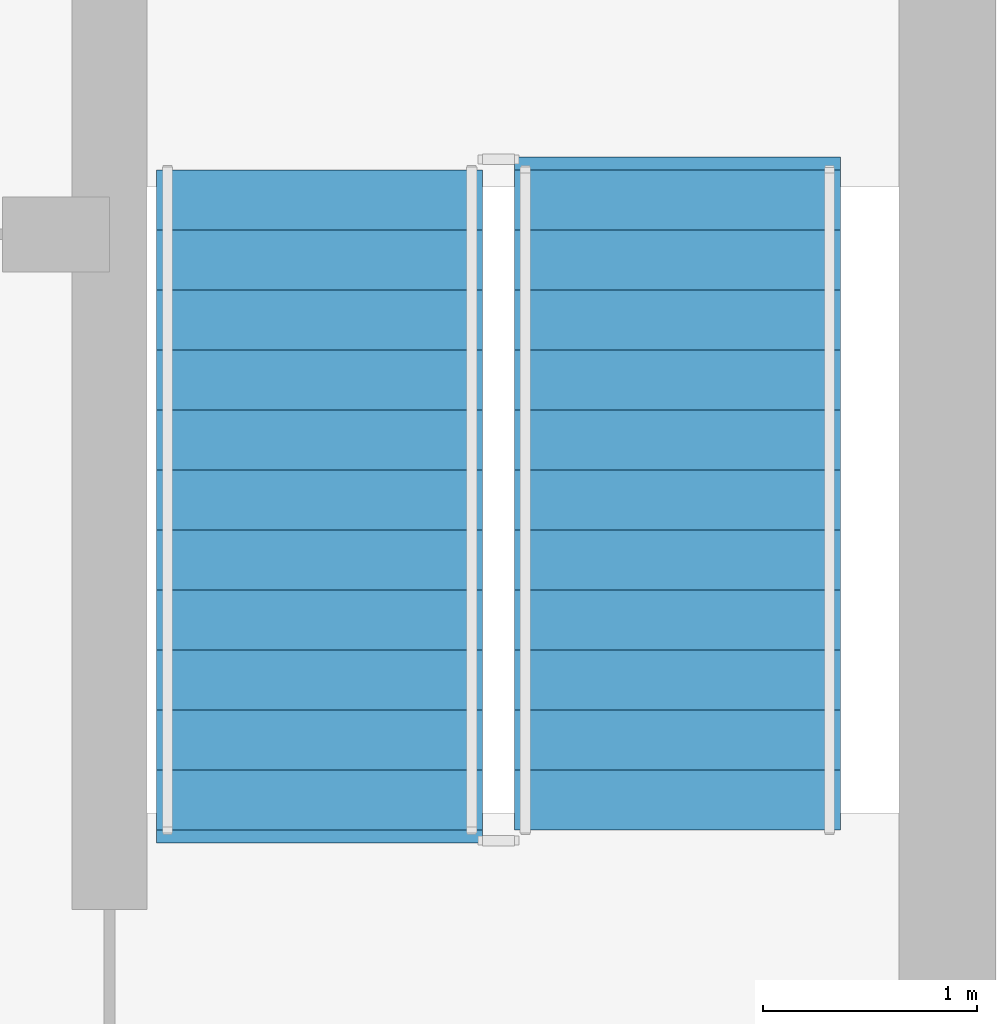
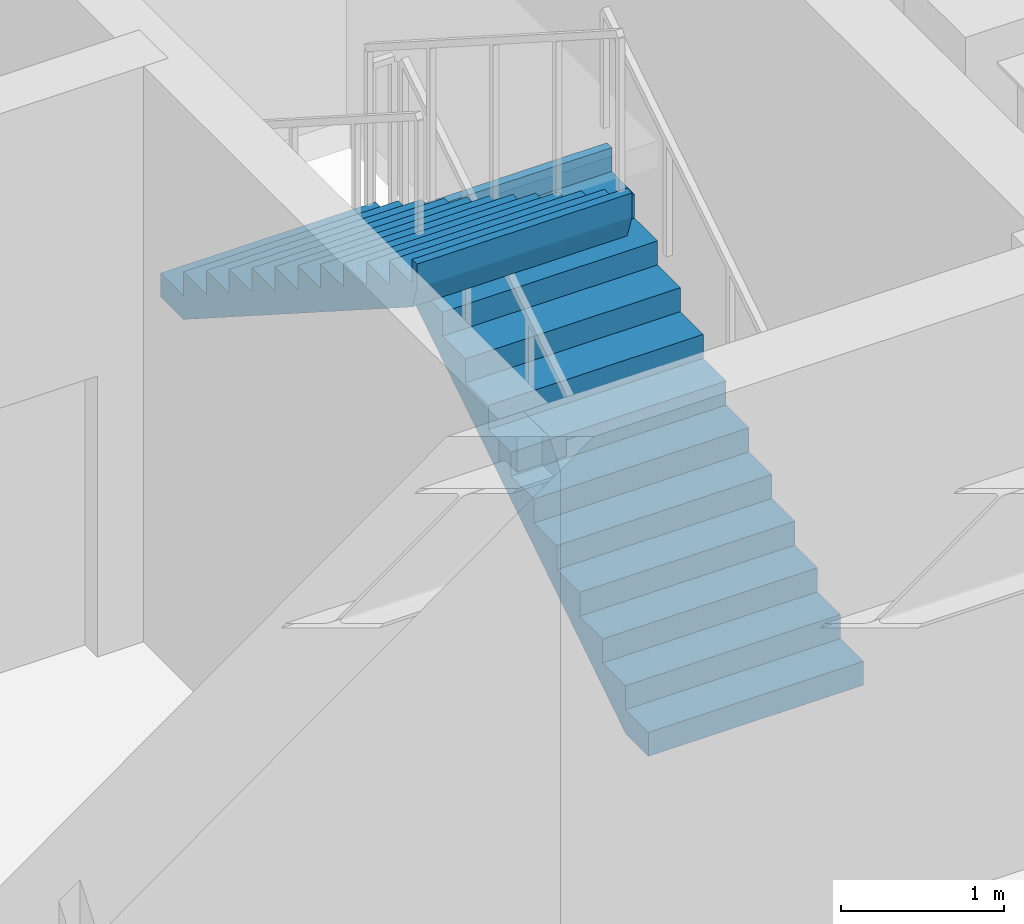
# One storey, part 5 of 6: 2 stair flights, 1 element without a shape of its own.
"""IFC4 building model written with IfcOpenShell, lengths in metres."""

from ifc_helpers import new_model, si_unit, direction, frame, origin, place, context, subcontext, project, spatial, polyline, outline, extrude, material, type_object, element, aggregate, save


model = new_model("IFC4")

# Units and contexts
model_context = context("Model", 3, precision=1e-05, world=origin(), true_north=direction((0.0, 1.0)))
body_context = subcontext(model_context, "Body", "Model", "MODEL_VIEW")
ifc_project = project(units=[si_unit("LENGTHUNIT", "METRE"), si_unit("AREAUNIT", "SQUARE_METRE"), si_unit("VOLUMEUNIT", "CUBIC_METRE"), si_unit("PLANEANGLEUNIT", "RADIAN"), si_unit("MASSUNIT", "GRAM", prefix="KILO")], contexts=[model_context])

# Site, building, storey
site_placement = place(None, origin())
site = spatial("IfcSite", under=ifc_project, at=site_placement, CompositionType="ELEMENT")
building_placement = place(site_placement, origin())
building = spatial("IfcBuilding", under=site, at=building_placement, Name="Orvandelia Arch Residences", CompositionType="ELEMENT")
storey_placement = place(building_placement, frame((0.0, 0.0, 274.199951171875)))
storey = spatial("IfcBuildingStorey", under=building, at=storey_placement, Name="L71", CompositionType="ELEMENT", Elevation=274.199951171875)

# Stair, stair flights
ifc_material = material(Name="Concrete C40/50", Category="concrete")
stair_type = type_object("IfcStairType", Name="STAIR-RC-DOGLEG", PredefinedType="HALF_TURN_STAIR", material=ifc_material)
stair_placement = place(storey_placement, origin())
stair = element("IfcStair", 1, at=stair_placement, inside=storey, type_object=stair_type, Name="L71 Protected Exit Stair ST-2", PredefinedType="HALF_TURN_STAIR")
stair_flight_type = type_object("IfcStairFlightType", Name="STFLT-RC-1520", PredefinedType="STRAIGHT", material=ifc_material)
stair_flight_1_placement = place(storey_placement, frame((21.489990234375, 32.8701171875, 0.0), z_axis=(0.0, 0.0, 1.0), x_axis=(0.0, 1.0, 0.0)))
stair_flight_1 = element("IfcStairFlight", 2, at=stair_flight_1_placement, type_object=stair_flight_type, Name="ST-2 flight 1", NumberOfRisers=12, NumberOfTreads=11, PredefinedType="STRAIGHT", RiserHeight=0.179166667, TreadLength=0.28, context=body_context, shape_type="SweptSolid", body=[
    extrude(outline(polyline([(0.0, 0.0), (0.0, 0.17919921875), (0.280029296875, 0.17919921875), (0.280029296875, 0.3583984375), (0.56005859375, 0.3583984375), (0.56005859375, 0.53759765625), (0.840087890625, 0.53759765625), (0.840087890625, 0.716552734375), (1.1201171875, 0.716552734375), (1.1201171875, 0.895751953125), (1.39990234375, 0.895751953125), (1.39990234375, 1.074951171875), (1.679931640625, 1.074951171875), (1.679931640625, 1.254150390625), (1.9599609375, 1.254150390625), (1.9599609375, 1.433349609375), (2.239990234375, 1.433349609375), (2.239990234375, 1.612548828125), (2.52001953125, 1.612548828125), (2.52001953125, 1.791748046875), (2.800048828125, 1.791748046875), (2.800048828125, 1.970947265625), (3.080078125, 1.970947265625), (3.080078125, 2.14990234375), (3.139892578125, 2.14990234375), (3.139892578125, 1.969970703125), (3.080078125, 1.79296875), (0.278076171875, 0.0), (0.0, 0.0)])), frame((0.0, 0.760009765625, 0.0), z_axis=(0.0, -1.0, 0.0), x_axis=(1.0, 0.0, 0.0)), (0.0, 0.0, 1.0), 1.52001953125),
])
stair_flight_2_placement = place(storey_placement, frame((19.820068359375, 35.949951171875, 2.150146484375), z_axis=(0.0, 0.0, 1.0), x_axis=(0.0, -1.0, 0.0)))
stair_flight_2 = element("IfcStairFlight", 3, at=stair_flight_2_placement, type_object=stair_flight_type, Name="ST-2 flight 2", NumberOfRisers=12, NumberOfTreads=11, PredefinedType="STRAIGHT", RiserHeight=0.179166667, TreadLength=0.28, context=body_context, shape_type="SweptSolid", body=[
    extrude(outline(polyline([(0.0, 0.0), (0.0, 0.17919921875), (0.280029296875, 0.17919921875), (0.280029296875, 0.3583984375), (0.56005859375, 0.3583984375), (0.56005859375, 0.53759765625), (0.840087890625, 0.53759765625), (0.840087890625, 0.716552734375), (1.1201171875, 0.716552734375), (1.1201171875, 0.895751953125), (1.39990234375, 0.895751953125), (1.39990234375, 1.074951171875), (1.679931640625, 1.074951171875), (1.679931640625, 1.254150390625), (1.9599609375, 1.254150390625), (1.9599609375, 1.433349609375), (2.239990234375, 1.433349609375), (2.239990234375, 1.612548828125), (2.52001953125, 1.612548828125), (2.52001953125, 1.791748046875), (2.800048828125, 1.791748046875), (2.800048828125, 1.970947265625), (3.080078125, 1.970947265625), (3.080078125, 2.14990234375), (3.139892578125, 2.14990234375), (3.139892578125, 1.969970703125), (3.080078125, 1.79296875), (0.278076171875, 0.0), (0.0, 0.0)])), frame((0.0, 0.760009765625, 0.0), z_axis=(0.0, -1.0, 0.0), x_axis=(1.0, 0.0, 0.0)), (0.0, 0.0, 1.0), 1.52001953125),
])
aggregate(stair, [stair_flight_1, stair_flight_2])

save(model, "model.ifc")
